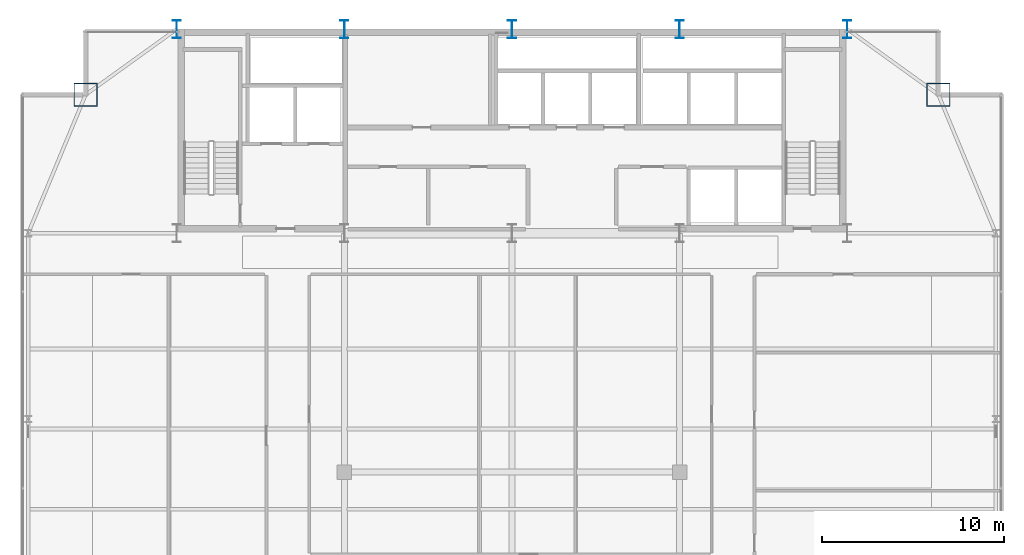
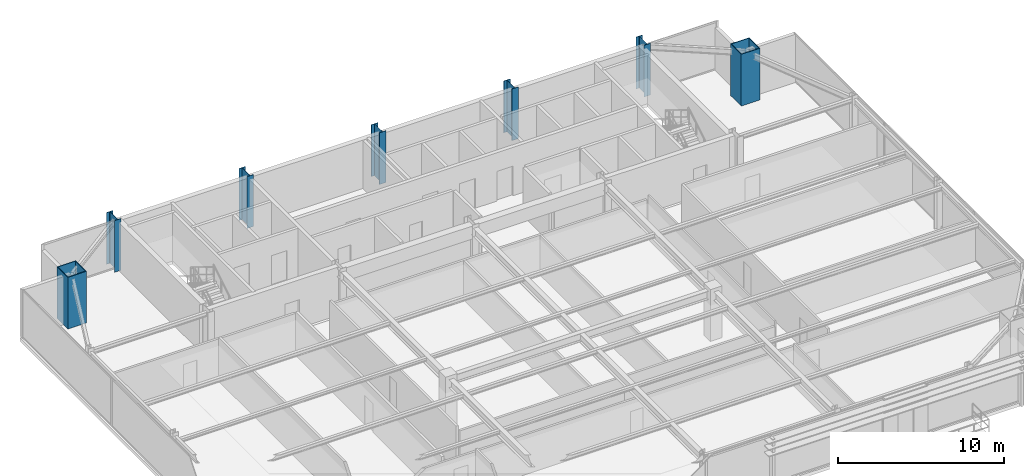
# One storey, part 3 of 31: 7 columns.
"""IFC4 building model written with IfcOpenShell, lengths in metres."""

from ifc_helpers import new_model, si_unit, direction, frame, origin, origin_2d, place, context, subcontext, project, spatial, hollow_rectangle, i_section, extrude, source, transform, mapped, material, material_profile, profile_set, type_object, type_shapes, element, save


model = new_model("IFC4")

# Units and contexts
model_context = context("Model", 3, precision=1e-05, world=origin(), true_north=direction((0.0, 1.0)))
body_context = subcontext(model_context, "Body", "Model", "MODEL_VIEW")
ifc_project = project(units=[si_unit("LENGTHUNIT", "METRE"), si_unit("AREAUNIT", "SQUARE_METRE"), si_unit("VOLUMEUNIT", "CUBIC_METRE"), si_unit("PLANEANGLEUNIT", "RADIAN"), si_unit("MASSUNIT", "GRAM", prefix="KILO")], contexts=[model_context])

# Site, building, storey
site_placement = place(None, origin())
site = spatial("IfcSite", under=ifc_project, at=site_placement, CompositionType="ELEMENT")
building_placement = place(site_placement, origin())
building = spatial("IfcBuilding", under=site, at=building_placement, Name="Varnel Quay Broadcast Tower", CompositionType="ELEMENT")
storey_placement = place(building_placement, frame((0.0, 0.0, 183.800048828125)))
storey = spatial("IfcBuildingStorey", under=building, at=storey_placement, Name="L45", CompositionType="ELEMENT", Elevation=183.800048828125)

# Columns
ifc_material = material(Name="Structural Steel CSA G40.21 350WT", Category="steel")
ifc_material_profile_1 = material_profile(ifc_material, i_section(OverallWidth=0.449951171875, OverallDepth=1.0, WebThickness=0.01611328125, FlangeThickness=0.030029296875, FilletRadius=0.01611328125, at=origin_2d()), Name="WWF1000X362")
ifc_profile_set_1 = profile_set([ifc_material_profile_1], Name="Structural Steel CSA G40.21 350WT")
column_type_1 = type_object("IfcColumnType", Name="Col_WWF1000X362", PredefinedType="COLUMN", material=ifc_profile_set_1)
shared_shape_1 = source(origin(), body_context, "Body", "SweptSolid", [
    extrude(i_section(OverallWidth=0.449951171875, OverallDepth=1.0, WebThickness=0.01611328125, FlangeThickness=0.030029296875, FilletRadius=0.01611328125, at=origin_2d()), origin(), (0.0, 0.0, 1.0), 3.800048828125),
])
type_shapes(column_type_1, [shared_shape_1])
for number, where, z_axis, x_axis, name in (
    (1, (15.60009765625, 46.800048828125, 0.0), (0.0, 0.0, 1.0), (1.0, 0.0, 0.0), "L45 Column CC-N1"),
    (2, (24.800048828125, 46.800048828125, 0.0), (0.0, 0.0, 1.0), (1.0, 0.0, 0.0), "L45 Column CC-N2"),
    (3, (34.0, 46.800048828125, 0.0), (0.0, 0.0, 1.0), (1.0, 0.0, 0.0), "L45 Column CC-N3"),
    (4, (43.199951171875, 46.800048828125, 0.0), (0.0, 0.0, 1.0), (1.0, 0.0, 0.0), "L45 Column CC-N4"),
    (5, (52.39990234375, 46.800048828125, 0.0), (0.0, 0.0, 1.0), (1.0, 0.0, 0.0), "L45 Column CC-N5"),
):
    element("IfcColumn", number, at=place(storey_placement, frame(where, z_axis=z_axis, x_axis=x_axis)), inside=storey, type_object=column_type_1, Name=name, PredefinedType="COLUMN", context=body_context, shape_type="MappedRepresentation", body=[
        mapped(shared_shape_1, transform((0.0, 0.0, 0.0), x_axis=(1.0, 0.0, 0.0), y_axis=(0.0, 1.0, 0.0), z_axis=(0.0, 0.0, 1.0), scale=1.0)),
    ])
ifc_material_profile_2 = material_profile(ifc_material, hollow_rectangle(XDim=1.300048828125, YDim=1.300048828125, WallThickness=0.050048828125, at=origin_2d()), Name="BOX1300X1300X50")
ifc_profile_set_2 = profile_set([ifc_material_profile_2], Name="Structural Steel CSA G40.21 350WT")
column_type_2 = type_object("IfcColumnType", Name="Col_BOX1300X1300X50", PredefinedType="COLUMN", material=ifc_profile_set_2)
shared_shape_2 = source(origin(), body_context, "Body", "SweptSolid", [
    extrude(hollow_rectangle(XDim=1.300048828125, YDim=1.300048828125, WallThickness=0.050048828125, at=origin_2d()), origin(), (0.0, 0.0, 1.0), 3.800048828125),
])
type_shapes(column_type_2, [shared_shape_2])
for number, where, z_axis, x_axis, name in (
    (6, (57.39990234375, 43.199951171875, 0.0), (0.0, 0.0, 1.0), (1.0, 0.0, 0.0), "L45 Column MC-NE"),
    (7, (10.60009765625, 43.199951171875, 0.0), (0.0, 0.0, 1.0), (1.0, 0.0, 0.0), "L45 Column MC-NW"),
):
    element("IfcColumn", number, at=place(storey_placement, frame(where, z_axis=z_axis, x_axis=x_axis)), inside=storey, type_object=column_type_2, Name=name, PredefinedType="COLUMN", context=body_context, shape_type="MappedRepresentation", body=[
        mapped(shared_shape_2, transform((0.0, 0.0, 0.0), x_axis=(1.0, 0.0, 0.0), y_axis=(0.0, 1.0, 0.0), z_axis=(0.0, 0.0, 1.0), scale=1.0)),
    ])

save(model, "model.ifc")
